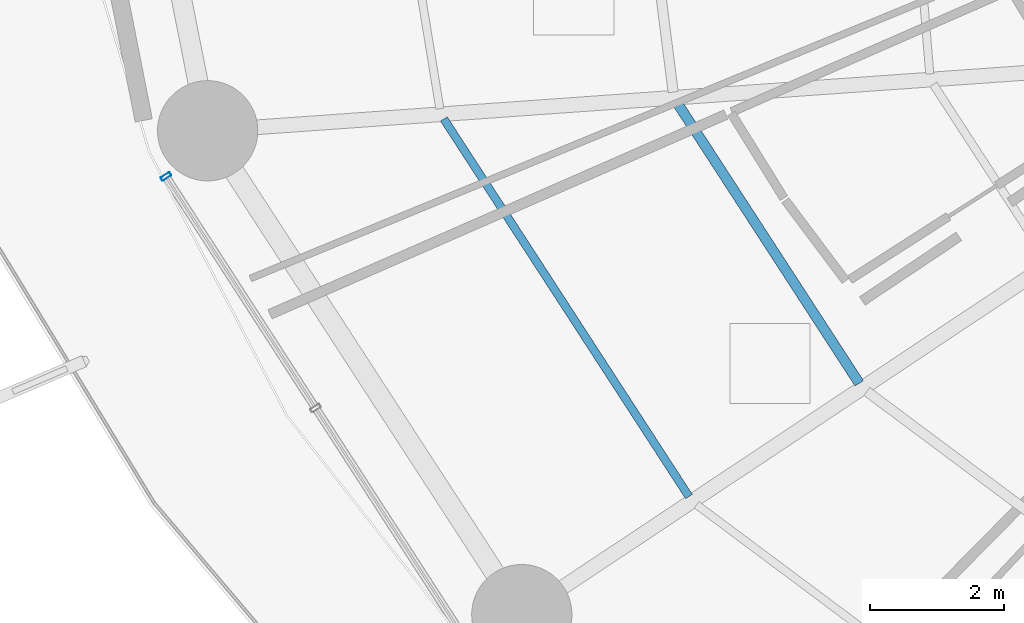
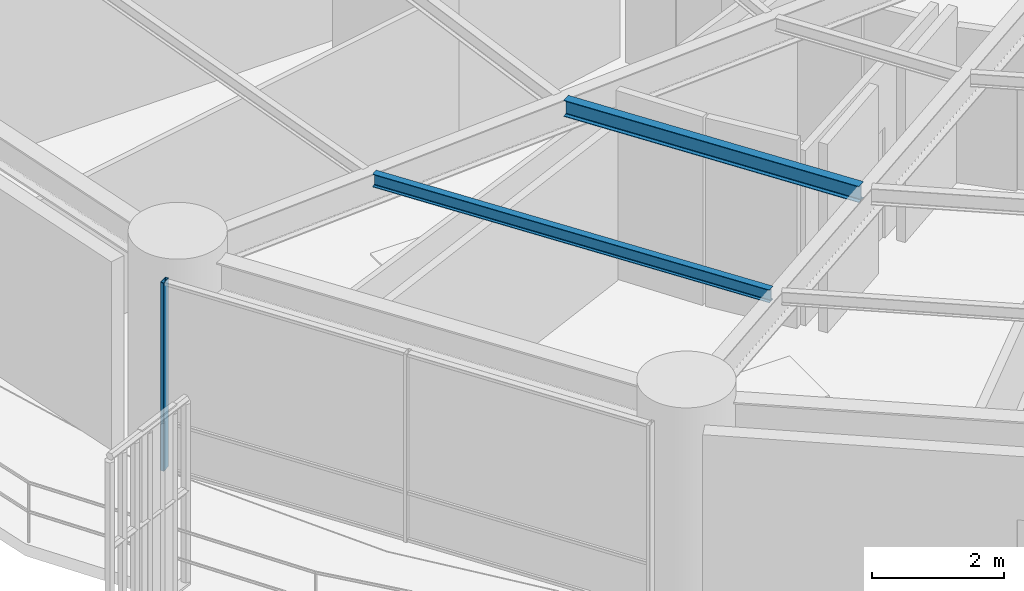
# One storey, part 4 of 34: 2 beams, 1 member, 1 element without a shape of its own.
"""IFC4 building model written with IfcOpenShell, lengths in metres."""

import ifcopenshell
import ifcopenshell.guid

model = None  # the IFC model being written
_history = None  # IfcOwnerHistory: only IFC2X3 demands one
_inside = {}  # id of a spatial element -> (the spatial element, [elements in it])
_under = {}  # id of a project, library or spatial element -> (it, [spatial elements below it])
_declared = {}  # id of a project -> (the project, [libraries it declares])
_typed = {}  # id of a type object -> (the type object, [elements of that type])
_made_of = {}  # id of a material, layer set ... -> (it, [elements and type objects made of it])


def new_model(schema):
    """Start an empty IFC model of exactly this schema.

    Asked for "IFC4X3", IfcOpenShell would pick the latest addendum, in which some entities
    have other attributes; the version numbers below select the first issue.
    IFC2X3 requires an IfcOwnerHistory on every rooted entity: one is made here for all.
    """
    global model, _history
    if schema == "IFC4X3":
        model = ifcopenshell.file(schema_version=(4, 3, 0, 0))
    else:
        model = ifcopenshell.file(schema=schema)
    _inside.clear()
    _under.clear()
    _declared.clear()
    _typed.clear()
    _made_of.clear()
    _history = None
    if model.schema == "IFC2X3":
        org = make("IfcOrganization", Name="unknown")
        user = make(
            "IfcPersonAndOrganization",
            ThePerson=make("IfcPerson", FamilyName="unknown"),
            TheOrganization=org,
        )
        app = make(
            "IfcApplication",
            ApplicationDeveloper=org,
            Version="unknown",
            ApplicationFullName="unknown",
            ApplicationIdentifier="unknown",
        )
        _history = make(
            "IfcOwnerHistory",
            OwningUser=user,
            OwningApplication=app,
            ChangeAction="ADDED",
            CreationDate=0,
        )
    return model


def make(cls, **values):
    """One entity of the class cls with the attributes given. An attribute that is None is left unset."""
    return model.create_entity(
        cls, **{name: value for name, value in values.items() if value is not None}
    )


def rooted(cls, **values):
    """An entity with a GlobalId (a new one), such as an element, a storey or a relation."""
    return make(cls, GlobalId=ifcopenshell.guid.new(), OwnerHistory=_history, **values)


def si_unit(unit_type, name, prefix=None):
    """IfcSIUnit, for example si_unit("LENGTHUNIT", "METRE", prefix="MILLI")."""
    return make("IfcSIUnit", UnitType=unit_type, Prefix=prefix, Name=name)


def assignment(units):
    """IfcUnitAssignment: the units of a project."""
    return None if units is None else make("IfcUnitAssignment", Units=units)


def point(xyz):
    """IfcCartesianPoint."""
    return None if xyz is None else make("IfcCartesianPoint", Coordinates=xyz)


def direction(xyz):
    """IfcDirection."""
    return None if xyz is None else make("IfcDirection", DirectionRatios=xyz)


def frame(location, z_axis=None, x_axis=None):
    """IfcAxis2Placement3D, a coordinate frame: its origin and axes. An axis left out is left unset."""
    return make(
        "IfcAxis2Placement3D",
        Location=point(location),
        Axis=direction(z_axis),
        RefDirection=direction(x_axis),
    )


def frame_2d(location, x_axis=None):
    """IfcAxis2Placement2D, a coordinate frame in the plane: its origin and x axis."""
    return make(
        "IfcAxis2Placement2D", Location=point(location), RefDirection=direction(x_axis)
    )


def origin():
    """The frame at (0, 0, 0) with its axes left unset."""
    return frame((0.0, 0.0, 0.0))


def origin_2d():
    """The frame at (0, 0) in the plane with its x axis left unset."""
    return frame_2d((0.0, 0.0))


def place(relative_to, where):
    """IfcLocalPlacement: puts the frame where relative to a parent placement (None: the world)."""
    return make(
        "IfcLocalPlacement", PlacementRelTo=relative_to, RelativePlacement=where
    )


def context(
    kind, dimensions, precision=None, world=None, true_north=None, identifier=None
):
    """IfcGeometricRepresentationContext, for example the 3D "Model" context."""
    return make(
        "IfcGeometricRepresentationContext",
        ContextIdentifier=identifier,
        ContextType=kind,
        CoordinateSpaceDimension=dimensions,
        Precision=precision,
        WorldCoordinateSystem=world,
        TrueNorth=true_north,
    )


def subcontext(parent, identifier, kind, view, scale=None):
    """IfcGeometricRepresentationSubContext, for example "Body" below "Model"."""
    return make(
        "IfcGeometricRepresentationSubContext",
        ContextIdentifier=identifier,
        ContextType=kind,
        ParentContext=parent,
        TargetScale=scale,
        TargetView=view,
    )


def project(units=None, contexts=None):
    """IfcProject with its units and contexts."""
    return rooted(
        "IfcProject",
        Name="project",
        RepresentationContexts=contexts,
        UnitsInContext=assignment(units),
    )


def spatial(cls, under=None, at=None, **own):
    """A site, building, storey or space (cls), placed at a placement, below another one or the project."""
    s = rooted(cls, ObjectPlacement=at, **own)
    if under is not None:
        _under.setdefault(under.id(), (under, []))[1].append(s)
    return s


def profile(cls, at=None, kind="AREA", **sizes):
    """A parametric profile (cls). Its sizes go by their IFC names, for example OverallWidth=200.0."""
    return make(cls, ProfileType=kind, Position=at, **sizes)


def hollow_rectangle(**sizes):
    """IfcRectangleHollowProfileDef."""
    return profile("IfcRectangleHollowProfileDef", **sizes)


def i_section(**sizes):
    """IfcIShapeProfileDef."""
    return profile("IfcIShapeProfileDef", **sizes)


def extrude(swept, where, along, depth):
    """IfcExtrudedAreaSolid: the profile swept, set in the frame where, extruded along a direction by depth."""
    return make(
        "IfcExtrudedAreaSolid",
        SweptArea=swept,
        Position=where,
        ExtrudedDirection=direction(along),
        Depth=depth,
    )


def shape(context_of_items, identifier, shape_type, items):
    """IfcShapeRepresentation: the items that make up one representation, for example the "Body"."""
    return make(
        "IfcShapeRepresentation",
        ContextOfItems=context_of_items,
        RepresentationIdentifier=identifier,
        RepresentationType=shape_type,
        Items=items,
    )


def material(Name=None, Category=None):
    """IfcMaterial."""
    return make("IfcMaterial", Name=Name, Category=Category)


def layer(
    of_material, thickness, ventilated=None, Name=None, Category=None, Priority=None
):
    """IfcMaterialLayer: one layer of a wall or slab, of a material (None: an air gap)."""
    return make(
        "IfcMaterialLayer",
        Material=of_material,
        LayerThickness=thickness,
        IsVentilated=ventilated,
        Name=Name,
        Category=Category,
        Priority=Priority,
    )


def layer_set(layers, Name=None):
    """IfcMaterialLayerSet."""
    return make("IfcMaterialLayerSet", MaterialLayers=layers, LayerSetName=Name)


def material_profile(
    of_material, cross_section, Name=None, Category=None, Priority=None
):
    """IfcMaterialProfile: a cross section and its material."""
    return make(
        "IfcMaterialProfile",
        Name=Name,
        Material=of_material,
        Profile=cross_section,
        Priority=Priority,
        Category=Category,
    )


def profile_set(profiles, Name=None, composite=None):
    """IfcMaterialProfileSet."""
    return make(
        "IfcMaterialProfileSet",
        Name=Name,
        MaterialProfiles=profiles,
        CompositeProfile=composite,
    )


def made_of(thing, what):
    """Note that an element or type object is made of a material, layer set ...; save() writes the relation."""
    if what is not None:
        _made_of.setdefault(what.id(), (what, []))[1].append(thing)
    return thing


def type_object(cls, material=None, **own):
    """A type object (cls), such as IfcWallType, which elements share."""
    return made_of(rooted(cls, **own), material)


def element(
    cls,
    number,
    at=None,
    inside=None,
    cuts=None,
    type_object=None,
    material=None,
    context=None,
    identifier="Body",
    shape_type=None,
    held_by="IfcProductDefinitionShape",
    body=None,
    shapes=None,
    **own,
):
    """One element of the class cls, such as IfcWall. Its Tag is "e" and its number.

    at: its placement. inside: the storey or other place that contains it. cuts: it is an
    opening in that element (IfcRelVoidsElement). A single representation is given by context,
    identifier, shape_type and body (its items); several are given by shapes. held_by: the class
    of the entity that holds the representations. save() writes the other relations.
    """
    e = rooted(cls, Tag="e%d" % number, ObjectPlacement=at, **own)
    if body is not None:
        shapes = [shape(context, identifier, shape_type, body)]
    if shapes is not None:
        e.Representation = make(held_by, Representations=shapes)
    if inside is not None:
        _inside.setdefault(inside.id(), (inside, []))[1].append(e)
    if cuts is not None:
        rooted(
            "IfcRelVoidsElement", RelatingBuildingElement=cuts, RelatedOpeningElement=e
        )
    if type_object is not None:
        _typed.setdefault(type_object.id(), (type_object, []))[1].append(e)
    return made_of(e, material)


def aggregate(whole, parts):
    """IfcRelAggregates: a whole, such as a stair, and the parts it consists of."""
    return rooted("IfcRelAggregates", RelatingObject=whole, RelatedObjects=parts)


def save(model, path):
    """Write the relations noted so far, then the file.

    IfcRelAggregates (storeys below a building ...), IfcRelContainedInSpatialStructure (elements
    in a storey), IfcRelDefinesByType, IfcRelAssociatesMaterial and IfcRelDeclares: one each for
    every whole, place, type object, material and project.
    """
    for whole, parts in _under.values():
        aggregate(whole, parts)
    for where, things in _inside.values():
        rooted(
            "IfcRelContainedInSpatialStructure",
            RelatedElements=things,
            RelatingStructure=where,
        )
    for kind, things in _typed.values():
        rooted("IfcRelDefinesByType", RelatedObjects=things, RelatingType=kind)
    for what, things in _made_of.values():
        rooted("IfcRelAssociatesMaterial", RelatedObjects=things, RelatingMaterial=what)
    for by, libraries in _declared.values():
        rooted("IfcRelDeclares", RelatingContext=by, RelatedDefinitions=libraries)
    model.write(path)


model = new_model("IFC4")

# Units and contexts
model_context = context("Model", 3, precision=1e-05, world=origin(), true_north=direction((0.0, 1.0)))
body_context = subcontext(model_context, "Body", "Model", "MODEL_VIEW")
ifc_project = project(units=[si_unit("LENGTHUNIT", "METRE"), si_unit("AREAUNIT", "SQUARE_METRE"), si_unit("VOLUMEUNIT", "CUBIC_METRE"), si_unit("PLANEANGLEUNIT", "RADIAN"), si_unit("MASSUNIT", "GRAM", prefix="KILO")], contexts=[model_context])

# Site, building, storey
site_placement = place(None, origin())
site = spatial("IfcSite", under=ifc_project, at=site_placement, CompositionType="ELEMENT")
building_placement = place(site_placement, origin())
building = spatial("IfcBuilding", under=site, at=building_placement, Name="Kelanora Arch Commons", CompositionType="ELEMENT")
storey_placement = place(building_placement, frame((0.0, 0.0, 33.75)))
storey = spatial("IfcBuildingStorey", under=building, at=storey_placement, Name="L08", CompositionType="ELEMENT", Elevation=33.75)

# Beams
ifc_material_1 = material(Name="Steel S355", Category="steel")
ifc_material_profile_1 = material_profile(ifc_material_1, i_section(OverallWidth=0.14990234375, OverallDepth=0.300048828125, WebThickness=0.007080078125, FlangeThickness=0.0107421875, FilletRadius=0.014892578125, at=origin_2d()), Name="IPE300")
ifc_profile_set_1 = profile_set([ifc_material_profile_1], Name="Steel S355")
beam_type_1 = type_object("IfcBeamType", Name="BM-JST-01", PredefinedType="JOIST", material=ifc_profile_set_1)
beam_1_placement = place(storey_placement, frame((55.578125, 50.187255859375, 3.340087890625), z_axis=(0.544551588245, -0.838727350061, 0.0), x_axis=(0.838727350061, 0.544551588245, 0.0)))
element("IfcBeam", 1, at=beam_1_placement, inside=storey, type_object=beam_type_1, Name="Secondary Chord Joist BJB-20 L08", PredefinedType="JOIST", context=body_context, shape_type="SweptSolid", body=[
    extrude(i_section(OverallWidth=0.14990234375, OverallDepth=0.300048828125, WebThickness=0.007080078125, FlangeThickness=0.0107421875, FilletRadius=0.014892578125, at=origin_2d()), origin(), (0.0, 0.0, 1.0), 5.010986328125),
])
ifc_material_profile_2 = material_profile(ifc_material_1, i_section(OverallWidth=0.1201171875, OverallDepth=0.239990234375, WebThickness=0.006103515625, FlangeThickness=0.009765625, FilletRadius=0.014892578125, at=origin_2d()), Name="IPE240")
ifc_profile_set_2 = profile_set([ifc_material_profile_2], Name="Steel S355")
beam_type_2 = type_object("IfcBeamType", Name="BM-JST-02", PredefinedType="JOIST", material=ifc_profile_set_2)
beam_2_placement = place(storey_placement, frame((52.0888671875, 49.940185546875, 3.3701171875), z_axis=(0.544550165372, -0.838728273873, 0.0), x_axis=(0.838728273873, 0.544550165372, 0.0)))
element("IfcBeam", 2, at=beam_2_placement, inside=storey, type_object=beam_type_2, Name="Secondary Chord Joist BJC-20 L08", PredefinedType="JOIST", context=body_context, shape_type="SweptSolid", body=[
    extrude(i_section(OverallWidth=0.1201171875, OverallDepth=0.239990234375, WebThickness=0.006103515625, FlangeThickness=0.009765625, FilletRadius=0.014892578125, at=origin_2d()), origin(), (0.0, 0.0, 1.0), 6.738037109375),
])

# Curtain wall, member
ifc_material_2 = material(Name="Terracotta ceramic-fritted low-E glass and aluminium", Category="masonry")
ifc_layer = layer(ifc_material_2, 0.159912109375)
ifc_layer_set = layer_set([ifc_layer], Name="Terracotta ceramic-fritted low-E glass and aluminium")
curtain_wall_type = type_object("IfcCurtainWallType", Name="CW-SYS-01", PredefinedType="NOTDEFINED", material=ifc_layer_set)
curtain_wall_placement = place(storey_placement, origin())
curtain_wall = element("IfcCurtainWall", 3, at=curtain_wall_placement, inside=storey, type_object=curtain_wall_type, Name="Unitised Curtain Wall L08-B10", PredefinedType="NOTDEFINED")
ifc_material_3 = material(Name="Powder-coated aluminium terracotta", Category="masonry")
ifc_material_profile_3 = material_profile(ifc_material_3, hollow_rectangle(XDim=0.159912109375, YDim=0.06005859375, WallThickness=0.0048828125, InnerFilletRadius=0.0048828125, OuterFilletRadius=0.010009765625, at=origin_2d()), Name="CWM160x60")
ifc_profile_set_3 = profile_set([ifc_material_profile_3], Name="Powder-coated aluminium terracotta")
member_type = type_object("IfcMemberType", Name="CWM-STD", PredefinedType="MULLION", material=ifc_profile_set_3)
member_placement = place(storey_placement, frame((47.927734375, 49.07958984375, 0.0), z_axis=(0.0, 0.0, 1.0), x_axis=(0.83972982332, 0.543004441812, 0.0)))
member = element("IfcMember", 4, at=member_placement, type_object=member_type, Name="CW-01 mullion 1", PredefinedType="MULLION", context=body_context, shape_type="SweptSolid", body=[
    extrude(hollow_rectangle(XDim=0.159912109375, YDim=0.06005859375, WallThickness=0.0048828125, InnerFilletRadius=0.0048828125, OuterFilletRadius=0.010009765625, at=origin_2d()), origin(), (0.0, 0.0, 1.0), 3.47509765625),
])
aggregate(curtain_wall, [member])

save(model, "model.ifc")
